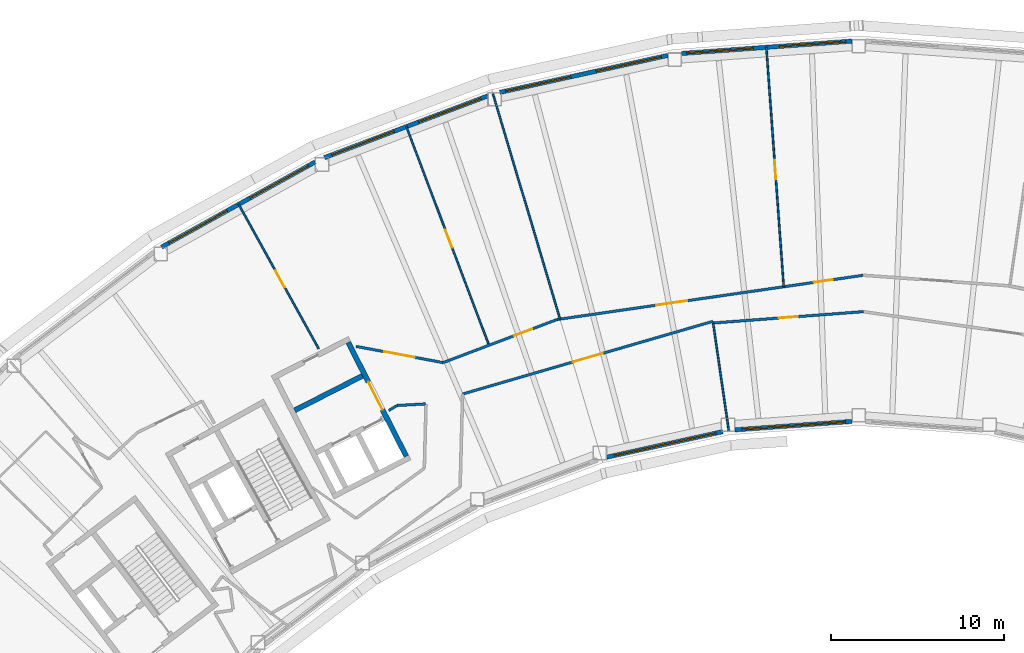
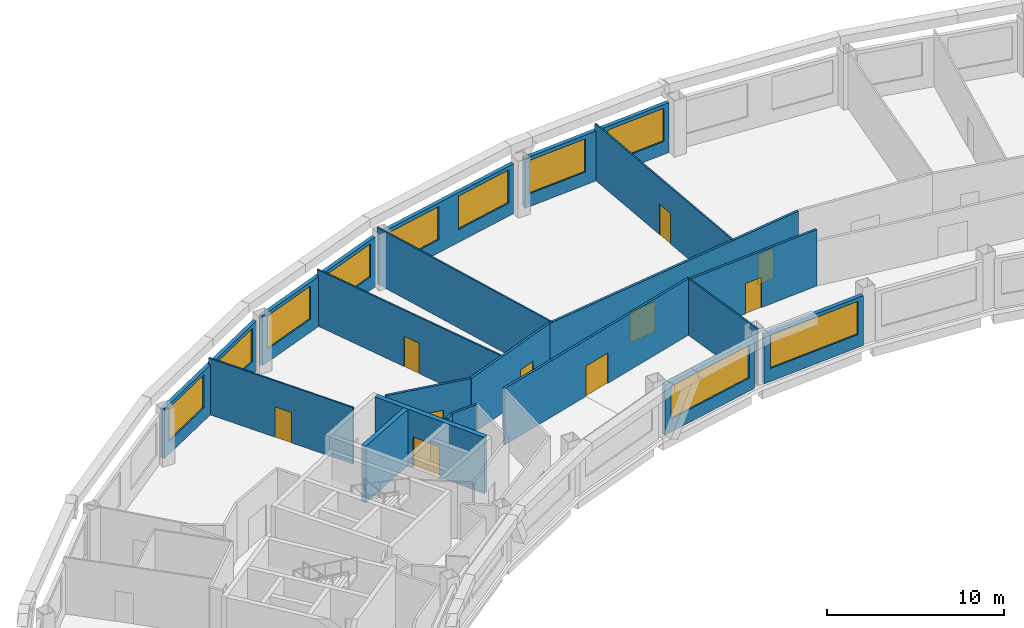
# One storey, part 7 of 13: 20 walls, 10 doors, 10 windows, 20 openings.
"""IFC4 building model written with IfcOpenShell, lengths in metres."""

from ifc_helpers import new_model, si_unit, direction, frame, frame_2d, origin, place, context, subcontext, project, spatial, rectangle, extrude, material, layer, layer_set, type_object, element, fill, save


model = new_model("IFC4")

# Units and contexts
model_context = context("Model", 3, precision=1e-05, world=origin(), true_north=direction((0.0, 1.0)))
body_context = subcontext(model_context, "Body", "Model", "MODEL_VIEW")
ifc_project = project(units=[si_unit("LENGTHUNIT", "METRE"), si_unit("AREAUNIT", "SQUARE_METRE"), si_unit("VOLUMEUNIT", "CUBIC_METRE"), si_unit("PLANEANGLEUNIT", "RADIAN"), si_unit("MASSUNIT", "GRAM", prefix="KILO")], contexts=[model_context])

# Site, building, storey
site_placement = place(None, origin())
site = spatial("IfcSite", under=ifc_project, at=site_placement, CompositionType="ELEMENT")
building_placement = place(site_placement, origin())
building = spatial("IfcBuilding", under=site, at=building_placement, Name="Tuul Gate Civic Tower", CompositionType="ELEMENT")
storey_placement = place(building_placement, frame((0.0, 0.0, 230.5)))
storey = spatial("IfcBuildingStorey", under=building, at=storey_placement, Name="Level 52", CompositionType="ELEMENT", Elevation=230.5)

# Wall, openings, doors
ifc_material_1 = material(Name="Gypsum board partition")
ifc_layer_1 = layer(ifc_material_1, 0.14990234375)
ifc_layer_set_1 = layer_set([ifc_layer_1], Name="Gypsum board partition")
wall_type_1 = type_object("IfcWallType", Name="Corridor wall P150", PredefinedType="PARTITIONING", material=ifc_layer_set_1)
wall_1_placement = place(storey_placement, frame((-11.525390625, 2.749267578125, 0.0), z_axis=(0.0, 0.0, 1.0), x_axis=(0.989706740421, 0.143110334934, 0.0)))
wall_1 = element("IfcWall", 1, at=wall_1_placement, inside=storey, type_object=wall_type_1, Name="p029", PredefinedType="PARTITIONING", context=body_context, shape_type="SweptSolid", body=[
    extrude(rectangle(XDim=17.907470703125, YDim=0.14990234375, at=frame_2d((8.95361328125, 0.0))), origin(), (0.0, 0.0, 1.0), 3.89990234375),
])
opening_1_placement = place(wall_1_placement, frame((5.81640625, 0.0, 0.0)))
opening_1 = element("IfcOpeningElement", 2, at=opening_1_placement, cuts=wall_1, Name="Opening S-D08", PredefinedType="OPENING", context=body_context, shape_type="SweptSolid", body=[
    extrude(rectangle(XDim=1.800048828125, YDim=2.10009765625, at=frame_2d((0.89990234375, 1.050048828125))), frame((0.0, 0.0849609375, 0.0), z_axis=(0.0, -1.0, 0.0), x_axis=(1.0, 0.0, 0.0)), (0.0, 0.0, 1.0), 0.169921875),
])
opening_2_placement = place(wall_1_placement, frame((15.0322265625, 0.0, 0.0)))
opening_2 = element("IfcOpeningElement", 3, at=opening_2_placement, cuts=wall_1, Name="Opening S-D24", PredefinedType="OPENING", context=body_context, shape_type="SweptSolid", body=[
    extrude(rectangle(XDim=1.10009765625, YDim=2.10009765625, at=frame_2d((0.550048828125, 1.050048828125))), frame((0.0, 0.0849609375, 0.0), z_axis=(0.0, -1.0, 0.0), x_axis=(1.0, 0.0, 0.0)), (0.0, 0.0, 1.0), 0.169921875),
])
ifc_material_2 = material(Name="Timber door leaf", Category="wood")
door_type_1 = type_object("IfcDoorType", Name="Door D11", OperationType="NOTDEFINED", PredefinedType="DOOR", material=ifc_material_2)
door_1_placement = place(opening_2_placement, origin())
door_1 = element("IfcDoor", 4, at=door_1_placement, inside=storey, type_object=door_type_1, Name="Door S-D24", OperationType="SINGLE_SWING_RIGHT", OverallHeight=2.10009765625, OverallWidth=1.10009765625, PredefinedType="DOOR", context=body_context, shape_type="SweptSolid", body=[
    extrude(rectangle(XDim=1.10009765625, YDim=2.10009765625, at=frame_2d((0.550048828125, 1.050048828125))), frame((0.0, 0.02490234375, 0.0), z_axis=(0.0, -1.0, 0.0), x_axis=(1.0, 0.0, 0.0)), (0.0, 0.0, 1.0), 0.050048828125),
])
fill(opening_2, door_1)
ifc_material_3 = material(Name="Timber door leaf, double", Category="wood")
door_type_2 = type_object("IfcDoorType", Name="Door D18", OperationType="DOUBLE_DOOR_SINGLE_SWING", PredefinedType="DOOR", material=ifc_material_3)
door_2_placement = place(opening_1_placement, origin())
door_2 = element("IfcDoor", 5, at=door_2_placement, inside=storey, type_object=door_type_2, Name="Door S-D08", OperationType="DOUBLE_DOOR_SINGLE_SWING", OverallHeight=2.10009765625, OverallWidth=1.800048828125, PredefinedType="DOOR", context=body_context, shape_type="SweptSolid", body=[
    extrude(rectangle(XDim=1.800048828125, YDim=2.10009765625, at=frame_2d((0.89990234375, 1.050048828125))), frame((0.0, 0.02490234375, 0.0), z_axis=(0.0, -1.0, 0.0), x_axis=(1.0, 0.0, 0.0)), (0.0, 0.0, 1.0), 0.050048828125),
])
fill(opening_1, door_2)

# Wall, opening, door
wall_2_placement = place(storey_placement, frame((-18.113525390625, 0.258056640625, 0.0), z_axis=(0.0, 0.0, 1.0), x_axis=(0.935353854347, 0.353713396918, 0.0)))
wall_2 = element("IfcWall", 6, at=wall_2_placement, inside=storey, type_object=wall_type_1, Name="p032", PredefinedType="PARTITIONING", context=body_context, shape_type="SweptSolid", body=[
    extrude(rectangle(XDim=7.041748046875, YDim=0.14990234375, at=frame_2d((3.52099609375, 0.0))), origin(), (0.0, 0.0, 1.0), 3.89990234375),
])
opening_3_placement = place(wall_2_placement, frame((4.388671875, 0.0, 0.0)))
opening_3 = element("IfcOpeningElement", 7, at=opening_3_placement, cuts=wall_2, Name="Opening S-D09", PredefinedType="OPENING", context=body_context, shape_type="SweptSolid", body=[
    extrude(rectangle(XDim=1.10009765625, YDim=2.10009765625, at=frame_2d((0.550048828125, 1.050048828125))), frame((0.0, 0.0849609375, 0.0), z_axis=(0.0, -1.0, 0.0), x_axis=(1.0, 0.0, 0.0)), (0.0, 0.0, 1.0), 0.169921875),
])
door_3_placement = place(opening_3_placement, origin())
door_3 = element("IfcDoor", 8, at=door_3_placement, inside=storey, type_object=door_type_1, Name="Door S-D09", OperationType="SINGLE_SWING_RIGHT", OverallHeight=2.10009765625, OverallWidth=1.10009765625, PredefinedType="DOOR", context=body_context, shape_type="SweptSolid", body=[
    extrude(rectangle(XDim=1.10009765625, YDim=2.10009765625, at=frame_2d((0.550048828125, 1.050048828125))), frame((0.0, 0.02490234375, 0.0), z_axis=(0.0, -1.0, 0.0), x_axis=(1.0, 0.0, 0.0)), (0.0, 0.0, 1.0), 0.050048828125),
])
fill(opening_3, door_3)

wall_3_placement = place(storey_placement, frame((-23.1552734375, 1.194091796875, 0.0), z_axis=(0.0, 0.0, 1.0), x_axis=(0.983102926713, -0.183053641011, 0.0)))
wall_3 = element("IfcWall", 9, at=wall_3_placement, inside=storey, type_object=wall_type_1, Name="p034", PredefinedType="PARTITIONING", context=body_context, shape_type="SweptSolid", body=[
    extrude(rectangle(XDim=5.121337890625, YDim=0.14990234375, at=frame_2d((2.560546875, 0.0))), origin(), (0.0, 0.0, 1.0), 3.89990234375),
])
opening_4_placement = place(wall_3_placement, frame((1.66064453125, 0.0, 0.0)))
opening_4 = element("IfcOpeningElement", 10, at=opening_4_placement, cuts=wall_3, Name="Opening S-D10", PredefinedType="OPENING", context=body_context, shape_type="SweptSolid", body=[
    extrude(rectangle(XDim=1.800048828125, YDim=2.10009765625, at=frame_2d((0.89990234375, 1.050048828125))), frame((0.0, 0.0849609375, 0.0), z_axis=(0.0, -1.0, 0.0), x_axis=(1.0, 0.0, 0.0)), (0.0, 0.0, 1.0), 0.169921875),
])
door_4_placement = place(opening_4_placement, origin())
door_4 = element("IfcDoor", 11, at=door_4_placement, inside=storey, type_object=door_type_2, Name="Door S-D10", OperationType="DOUBLE_DOOR_SINGLE_SWING", OverallHeight=2.10009765625, OverallWidth=1.800048828125, PredefinedType="DOOR", context=body_context, shape_type="SweptSolid", body=[
    extrude(rectangle(XDim=1.800048828125, YDim=2.10009765625, at=frame_2d((0.89990234375, 1.050048828125))), frame((0.0, 0.02490234375, 0.0), z_axis=(0.0, -1.0, 0.0), x_axis=(1.0, 0.0, 0.0)), (0.0, 0.0, 1.0), 0.050048828125),
])
fill(opening_4, door_4)

wall_4_placement = place(storey_placement, frame((-2.489501953125, 2.547607421875, 0.0), z_axis=(0.0, 0.0, 1.0), x_axis=(0.99714617052, 0.075495129763, 0.0)))
wall_4 = element("IfcWall", 12, at=wall_4_placement, inside=storey, type_object=wall_type_1, Name="p052", PredefinedType="PARTITIONING", context=body_context, shape_type="SweptSolid", body=[
    extrude(rectangle(XDim=8.718505859375, YDim=0.14990234375, at=frame_2d((4.359375, 0.0))), origin(), (0.0, 0.0, 1.0), 3.89990234375),
])
opening_5_placement = place(wall_4_placement, frame((3.80908203125, 0.0, 0.0)))
opening_5 = element("IfcOpeningElement", 13, at=opening_5_placement, cuts=wall_4, Name="Opening S-D29", PredefinedType="OPENING", context=body_context, shape_type="SweptSolid", body=[
    extrude(rectangle(XDim=1.10009765625, YDim=2.10009765625, at=frame_2d((0.550048828125, 1.050048828125))), frame((0.0, 0.0849609375, 0.0), z_axis=(0.0, -1.0, 0.0), x_axis=(1.0, 0.0, 0.0)), (0.0, 0.0, 1.0), 0.169921875),
])
door_5_placement = place(opening_5_placement, frame((1.10009765625, 0.0, 0.0), z_axis=(0.0, 0.0, 1.0), x_axis=(-1.0, 0.0, 0.0)))
door_5 = element("IfcDoor", 14, at=door_5_placement, inside=storey, type_object=door_type_1, Name="Door S-D29", OperationType="SINGLE_SWING_LEFT", OverallHeight=2.10009765625, OverallWidth=1.10009765625, PredefinedType="DOOR", context=body_context, shape_type="SweptSolid", body=[
    extrude(rectangle(XDim=1.10009765625, YDim=2.10009765625, at=frame_2d((0.550048828125, 1.050048828125))), frame((0.0, 0.02490234375, 0.0), z_axis=(0.0, -1.0, 0.0), x_axis=(1.0, 0.0, 0.0)), (0.0, 0.0, 1.0), 0.050048828125),
])
fill(opening_5, door_5)

wall_5_placement = place(storey_placement, frame((-16.99169921875, -1.56298828125, 0.0), z_axis=(0.0, 0.0, 1.0), x_axis=(0.96031421275, 0.278920441686, 0.0)))
wall_5 = element("IfcWall", 15, at=wall_5_placement, inside=storey, type_object=wall_type_1, Name="p059", PredefinedType="PARTITIONING", context=body_context, shape_type="SweptSolid", body=[
    extrude(rectangle(XDim=15.086669921875, YDim=0.14990234375, at=frame_2d((7.54345703125, 0.0))), origin(), (0.0, 0.0, 1.0), 3.89990234375),
])
opening_6_placement = place(wall_5_placement, frame((6.643310546875, 0.0, 0.0)))
opening_6 = element("IfcOpeningElement", 16, at=opening_6_placement, cuts=wall_5, Name="Opening S-D15", PredefinedType="OPENING", context=body_context, shape_type="SweptSolid", body=[
    extrude(rectangle(XDim=1.800048828125, YDim=2.10009765625, at=frame_2d((0.89990234375, 1.050048828125))), frame((0.0, 0.0849609375, 0.0), z_axis=(0.0, -1.0, 0.0), x_axis=(1.0, 0.0, 0.0)), (0.0, 0.0, 1.0), 0.169921875),
])
door_6_placement = place(opening_6_placement, frame((1.800048828125, 0.0, 0.0), z_axis=(0.0, 0.0, 1.0), x_axis=(-1.0, 0.0, 0.0)))
door_6 = element("IfcDoor", 17, at=door_6_placement, inside=storey, type_object=door_type_2, Name="Door S-D15", OperationType="DOUBLE_DOOR_SINGLE_SWING", OverallHeight=2.10009765625, OverallWidth=1.800048828125, PredefinedType="DOOR", context=body_context, shape_type="SweptSolid", body=[
    extrude(rectangle(XDim=1.800048828125, YDim=2.10009765625, at=frame_2d((0.900146484375, 1.050048828125))), frame((0.0, 0.02490234375, 0.0), z_axis=(0.0, -1.0, 0.0), x_axis=(1.0, 0.0, 0.0)), (0.0, 0.0, 1.0), 0.050048828125),
])
fill(opening_6, door_6)

# Walls
wall_6_placement = place(storey_placement, frame((-21.264404296875, -2.514892578125, 0.0), z_axis=(0.0, 0.0, 1.0), x_axis=(0.859072869084, 0.51185330477, 0.0)))
element("IfcWall", 18, at=wall_6_placement, inside=storey, type_object=wall_type_1, Name="p064", PredefinedType="PARTITIONING", context=body_context, shape_type="SweptSolid", body=[
    extrude(rectangle(XDim=0.5576171875, YDim=0.14990234375, at=frame_2d((0.27880859375, 0.0))), origin(), (0.0, 0.0, 1.0), 3.89990234375),
])
wall_7_placement = place(storey_placement, frame((-20.775390625, -2.2265625, 0.0), z_axis=(0.0, 0.0, 1.0), x_axis=(0.998406572492, 0.056429743973, 0.0)))
element("IfcWall", 19, at=wall_7_placement, inside=storey, type_object=wall_type_1, Name="p065", PredefinedType="PARTITIONING", context=body_context, shape_type="SweptSolid", body=[
    extrude(rectangle(XDim=1.6484375, YDim=0.14990234375, at=frame_2d((0.82421875, 0.0))), origin(), (0.0, 0.0, 1.0), 3.89990234375),
])

# Wall, openings, windows
ifc_material_4 = material(Name="Precast concrete C40/50", Category="concrete")
ifc_layer_2 = layer(ifc_material_4, 0.25)
ifc_layer_set_2 = layer_set([ifc_layer_2], Name="Precast concrete C40/50")
wall_type_2 = type_object("IfcWallType", Name="External wall", PredefinedType="STANDARD", material=ifc_layer_set_2)
wall_8_placement = place(storey_placement, frame((5.5400390625, 18.862548828125, 0.0), z_axis=(0.0, 0.0, 1.0), x_axis=(-0.997382341931, -0.072308118528, 0.0)))
wall_8 = element("IfcWall", 20, at=wall_8_placement, inside=storey, type_object=wall_type_2, Name="External wall", PredefinedType="STANDARD", context=body_context, shape_type="SweptSolid", body=[
    extrude(rectangle(XDim=9.8759765625, YDim=0.25, at=frame_2d((4.93798828125, 0.0))), origin(), (0.0, 0.0, 1.0), 3.449951171875),
])
opening_7_placement = place(wall_8_placement, frame((0.3505859375, 0.0, 0.89990234375)))
opening_7 = element("IfcOpeningElement", 21, at=opening_7_placement, cuts=wall_8, Name="Opening W22", PredefinedType="OPENING", context=body_context, shape_type="SweptSolid", body=[
    extrude(rectangle(XDim=3.85009765625, YDim=2.300048828125, at=frame_2d((1.925048828125, 1.14990234375))), frame((0.0, 0.135009765625, 0.0), z_axis=(0.0, -1.0, 0.0), x_axis=(1.0, 0.0, 0.0)), (0.0, 0.0, 1.0), 0.27001953125),
])
opening_8_placement = place(wall_8_placement, frame((5.72216796875, 0.0, 0.89990234375)))
opening_8 = element("IfcOpeningElement", 22, at=opening_8_placement, cuts=wall_8, Name="Opening W22", PredefinedType="OPENING", context=body_context, shape_type="SweptSolid", body=[
    extrude(rectangle(XDim=3.85009765625, YDim=2.300048828125, at=frame_2d((1.925048828125, 1.14990234375))), frame((0.0, 0.135009765625, 0.0), z_axis=(0.0, -1.0, 0.0), x_axis=(1.0, 0.0, 0.0)), (0.0, 0.0, 1.0), 0.27001953125),
])
ifc_material_5 = material(Name="Glass", Category="glass")
window_type_1 = type_object("IfcWindowType", Name="Window W22 3850 x 2300", PartitioningType="SINGLE_PANEL", PredefinedType="WINDOW", material=ifc_material_5)
window_1_placement = place(opening_7_placement, origin())
window_1 = element("IfcWindow", 23, at=window_1_placement, inside=storey, type_object=window_type_1, Name="Window", OverallHeight=2.300048828125, OverallWidth=3.85009765625, PartitioningType="SINGLE_PANEL", PredefinedType="WINDOW", context=body_context, shape_type="SweptSolid", body=[
    extrude(rectangle(XDim=3.85009765625, YDim=2.300048828125, at=frame_2d((1.925048828125, 1.14990234375))), frame((0.0, 0.030029296875, 0.0), z_axis=(0.0, -1.0, 0.0), x_axis=(1.0, 0.0, 0.0)), (0.0, 0.0, 1.0), 0.06005859375),
])
fill(opening_7, window_1)
window_2_placement = place(opening_8_placement, origin())
window_2 = element("IfcWindow", 24, at=window_2_placement, inside=storey, type_object=window_type_1, Name="Window", OverallHeight=2.300048828125, OverallWidth=3.85009765625, PartitioningType="SINGLE_PANEL", PredefinedType="WINDOW", context=body_context, shape_type="SweptSolid", body=[
    extrude(rectangle(XDim=3.85009765625, YDim=2.300048828125, at=frame_2d((1.925048828125, 1.14990234375))), frame((0.0, 0.030029296875, 0.0), z_axis=(0.0, -1.0, 0.0), x_axis=(1.0, 0.0, 0.0)), (0.0, 0.0, 1.0), 0.06005859375),
])
fill(opening_8, window_2)

wall_9_placement = place(storey_placement, frame((-5.110107421875, 18.0380859375, 0.0), z_axis=(0.0, 0.0, 1.0), x_axis=(-0.976567609669, -0.215210835566, 0.0)))
wall_9 = element("IfcWall", 25, at=wall_9_placement, inside=storey, type_object=wall_type_2, Name="External wall", PredefinedType="STANDARD", context=body_context, shape_type="SweptSolid", body=[
    extrude(rectangle(XDim=9.953369140625, YDim=0.25, at=frame_2d((4.9765625, 0.0))), origin(), (0.0, 0.0, 1.0), 3.449951171875),
])
opening_9_placement = place(wall_9_placement, frame((0.39013671875, 0.0, 0.89990234375)))
opening_9 = element("IfcOpeningElement", 26, at=opening_9_placement, cuts=wall_9, Name="Opening W22", PredefinedType="OPENING", context=body_context, shape_type="SweptSolid", body=[
    extrude(rectangle(XDim=3.85009765625, YDim=2.300048828125, at=frame_2d((1.925048828125, 1.14990234375))), frame((0.0, 0.135009765625, 0.0), z_axis=(0.0, -1.0, 0.0), x_axis=(1.0, 0.0, 0.0)), (0.0, 0.0, 1.0), 0.27001953125),
])
opening_10_placement = place(wall_9_placement, frame((5.761474609375, 0.0, 0.89990234375)))
opening_10 = element("IfcOpeningElement", 27, at=opening_10_placement, cuts=wall_9, Name="Opening W22", PredefinedType="OPENING", context=body_context, shape_type="SweptSolid", body=[
    extrude(rectangle(XDim=3.85009765625, YDim=2.300048828125, at=frame_2d((1.925048828125, 1.14990234375))), frame((0.0, 0.135009765625, 0.0), z_axis=(0.0, -1.0, 0.0), x_axis=(1.0, 0.0, 0.0)), (0.0, 0.0, 1.0), 0.27001953125),
])
window_3_placement = place(opening_9_placement, origin())
window_3 = element("IfcWindow", 28, at=window_3_placement, inside=storey, type_object=window_type_1, Name="Window", OverallHeight=2.300048828125, OverallWidth=3.85009765625, PartitioningType="SINGLE_PANEL", PredefinedType="WINDOW", context=body_context, shape_type="SweptSolid", body=[
    extrude(rectangle(XDim=3.85009765625, YDim=2.300048828125, at=frame_2d((1.925048828125, 1.14990234375))), frame((0.0, 0.030029296875, 0.0), z_axis=(0.0, -1.0, 0.0), x_axis=(1.0, 0.0, 0.0)), (0.0, 0.0, 1.0), 0.06005859375),
])
fill(opening_9, window_3)
window_4_placement = place(opening_10_placement, origin())
window_4 = element("IfcWindow", 29, at=window_4_placement, inside=storey, type_object=window_type_1, Name="Window", OverallHeight=2.300048828125, OverallWidth=3.85009765625, PartitioningType="SINGLE_PANEL", PredefinedType="WINDOW", context=body_context, shape_type="SweptSolid", body=[
    extrude(rectangle(XDim=3.85009765625, YDim=2.300048828125, at=frame_2d((1.925048828125, 1.14990234375))), frame((0.0, 0.030029296875, 0.0), z_axis=(0.0, -1.0, 0.0), x_axis=(1.0, 0.0, 0.0)), (0.0, 0.0, 1.0), 0.06005859375),
])
fill(opening_10, window_4)

wall_10_placement = place(storey_placement, frame((-15.537109375, 15.69189453125, 0.0), z_axis=(0.0, 0.0, 1.0), x_axis=(-0.935373348384, -0.353661842912, 0.0)))
wall_10 = element("IfcWall", 30, at=wall_10_placement, inside=storey, type_object=wall_type_2, Name="External wall", PredefinedType="STANDARD", context=body_context, shape_type="SweptSolid", body=[
    extrude(rectangle(XDim=10.102783203125, YDim=0.25, at=frame_2d((5.05126953125, 0.0))), origin(), (0.0, 0.0, 1.0), 3.449951171875),
])
opening_11_placement = place(wall_10_placement, frame((0.423583984375, 0.0, 0.89990234375)))
opening_11 = element("IfcOpeningElement", 31, at=opening_11_placement, cuts=wall_10, Name="Opening W22", PredefinedType="OPENING", context=body_context, shape_type="SweptSolid", body=[
    extrude(rectangle(XDim=3.85009765625, YDim=2.300048828125, at=frame_2d((1.925048828125, 1.14990234375))), frame((0.0, 0.135009765625, 0.0), z_axis=(0.0, -1.0, 0.0), x_axis=(1.0, 0.0, 0.0)), (0.0, 0.0, 1.0), 0.27001953125),
])
opening_12_placement = place(wall_10_placement, frame((5.794677734375, 0.0, 0.89990234375)))
opening_12 = element("IfcOpeningElement", 32, at=opening_12_placement, cuts=wall_10, Name="Opening W22", PredefinedType="OPENING", context=body_context, shape_type="SweptSolid", body=[
    extrude(rectangle(XDim=3.85009765625, YDim=2.300048828125, at=frame_2d((1.925048828125, 1.14990234375))), frame((0.0, 0.135009765625, 0.0), z_axis=(0.0, -1.0, 0.0), x_axis=(1.0, 0.0, 0.0)), (0.0, 0.0, 1.0), 0.27001953125),
])
window_5_placement = place(opening_11_placement, origin())
window_5 = element("IfcWindow", 33, at=window_5_placement, inside=storey, type_object=window_type_1, Name="Window", OverallHeight=2.300048828125, OverallWidth=3.85009765625, PartitioningType="SINGLE_PANEL", PredefinedType="WINDOW", context=body_context, shape_type="SweptSolid", body=[
    extrude(rectangle(XDim=3.85009765625, YDim=2.300048828125, at=frame_2d((1.925048828125, 1.14990234375))), frame((0.0, 0.030029296875, 0.0), z_axis=(0.0, -1.0, 0.0), x_axis=(1.0, 0.0, 0.0)), (0.0, 0.0, 1.0), 0.06005859375),
])
fill(opening_11, window_5)
window_6_placement = place(opening_12_placement, origin())
window_6 = element("IfcWindow", 34, at=window_6_placement, inside=storey, type_object=window_type_1, Name="Window", OverallHeight=2.300048828125, OverallWidth=3.85009765625, PartitioningType="SINGLE_PANEL", PredefinedType="WINDOW", context=body_context, shape_type="SweptSolid", body=[
    extrude(rectangle(XDim=3.85009765625, YDim=2.300048828125, at=frame_2d((1.925048828125, 1.14990234375))), frame((0.0, 0.030029296875, 0.0), z_axis=(0.0, -1.0, 0.0), x_axis=(1.0, 0.0, 0.0)), (0.0, 0.0, 1.0), 0.06005859375),
])
fill(opening_12, window_6)

wall_11_placement = place(storey_placement, frame((-25.52392578125, 11.86962890625, 0.0), z_axis=(0.0, 0.0, 1.0), x_axis=(-0.87461473964, -0.484818581743, 0.0)))
wall_11 = element("IfcWall", 35, at=wall_11_placement, inside=storey, type_object=wall_type_2, Name="External wall", PredefinedType="STANDARD", context=body_context, shape_type="SweptSolid", body=[
    extrude(rectangle(XDim=10.16162109375, YDim=0.25, at=frame_2d((5.080810546875, 0.0))), origin(), (0.0, 0.0, 1.0), 3.449951171875),
])
opening_13_placement = place(wall_11_placement, frame((0.451171875, 0.0, 0.89990234375)))
opening_13 = element("IfcOpeningElement", 36, at=opening_13_placement, cuts=wall_11, Name="Opening W22", PredefinedType="OPENING", context=body_context, shape_type="SweptSolid", body=[
    extrude(rectangle(XDim=3.85009765625, YDim=2.300048828125, at=frame_2d((1.925048828125, 1.14990234375))), frame((0.0, 0.135009765625, 0.0), z_axis=(0.0, -1.0, 0.0), x_axis=(1.0, 0.0, 0.0)), (0.0, 0.0, 1.0), 0.27001953125),
])
opening_14_placement = place(wall_11_placement, frame((5.822021484375, 0.0, 0.89990234375)))
opening_14 = element("IfcOpeningElement", 37, at=opening_14_placement, cuts=wall_11, Name="Opening W22", PredefinedType="OPENING", context=body_context, shape_type="SweptSolid", body=[
    extrude(rectangle(XDim=3.85009765625, YDim=2.300048828125, at=frame_2d((1.925048828125, 1.14990234375))), frame((0.0, 0.135009765625, 0.0), z_axis=(0.0, -1.0, 0.0), x_axis=(1.0, 0.0, 0.0)), (0.0, 0.0, 1.0), 0.27001953125),
])
window_7_placement = place(opening_13_placement, origin())
window_7 = element("IfcWindow", 38, at=window_7_placement, inside=storey, type_object=window_type_1, Name="Window", OverallHeight=2.300048828125, OverallWidth=3.85009765625, PartitioningType="SINGLE_PANEL", PredefinedType="WINDOW", context=body_context, shape_type="SweptSolid", body=[
    extrude(rectangle(XDim=3.85009765625, YDim=2.300048828125, at=frame_2d((1.925048828125, 1.14990234375))), frame((0.0, 0.030029296875, 0.0), z_axis=(0.0, -1.0, 0.0), x_axis=(1.0, 0.0, 0.0)), (0.0, 0.0, 1.0), 0.06005859375),
])
fill(opening_13, window_7)
window_8_placement = place(opening_14_placement, origin())
window_8 = element("IfcWindow", 39, at=window_8_placement, inside=storey, type_object=window_type_1, Name="Window", OverallHeight=2.300048828125, OverallWidth=3.85009765625, PartitioningType="SINGLE_PANEL", PredefinedType="WINDOW", context=body_context, shape_type="SweptSolid", body=[
    extrude(rectangle(XDim=3.85009765625, YDim=2.300048828125, at=frame_2d((1.925048828125, 1.14990234375))), frame((0.0, 0.030029296875, 0.0), z_axis=(0.0, -1.0, 0.0), x_axis=(1.0, 0.0, 0.0)), (0.0, 0.0, 1.0), 0.06005859375),
])
fill(opening_14, window_8)

# Wall, opening, window
wall_12_placement = place(storey_placement, frame((-8.64599609375, -5.21728515625, 0.0), z_axis=(0.0, 0.0, 1.0), x_axis=(0.976561146318, 0.215240162382, 0.0)))
wall_12 = element("IfcWall", 40, at=wall_12_placement, inside=storey, type_object=wall_type_2, Name="External wall", PredefinedType="STANDARD", context=body_context, shape_type="SweptSolid", body=[
    extrude(rectangle(XDim=6.867919921875, YDim=0.25, at=frame_2d((3.43408203125, 0.0))), origin(), (0.0, 0.0, 1.0), 3.449951171875),
])
opening_15_placement = place(wall_12_placement, frame((0.458251953125, 0.0, 0.89990234375)))
opening_15 = element("IfcOpeningElement", 41, at=opening_15_placement, cuts=wall_12, Name="Opening W26", PredefinedType="OPENING", context=body_context, shape_type="SweptSolid", body=[
    extrude(rectangle(XDim=6.0, YDim=2.300048828125, at=frame_2d((3.0, 1.14990234375))), frame((0.0, 0.135009765625, 0.0), z_axis=(0.0, -1.0, 0.0), x_axis=(1.0, 0.0, 0.0)), (0.0, 0.0, 1.0), 0.27001953125),
])
ifc_material_6 = material(Name="Glass", Category="glass")
window_type_2 = type_object("IfcWindowType", Name="Window W26 6000 x 2300", PartitioningType="SINGLE_PANEL", PredefinedType="WINDOW", material=ifc_material_6)
window_9_placement = place(opening_15_placement, origin())
window_9 = element("IfcWindow", 42, at=window_9_placement, inside=storey, type_object=window_type_2, Name="Window", OverallHeight=2.300048828125, OverallWidth=6.0, PartitioningType="SINGLE_PANEL", PredefinedType="WINDOW", context=body_context, shape_type="SweptSolid", body=[
    extrude(rectangle(XDim=6.0, YDim=2.300048828125, at=frame_2d((3.0, 1.14990234375))), frame((0.0, 0.030029296875, 0.0), z_axis=(0.0, -1.0, 0.0), x_axis=(1.0, 0.0, 0.0)), (0.0, 0.0, 1.0), 0.06005859375),
])
fill(opening_15, window_9)

wall_13_placement = place(storey_placement, frame((-1.23193359375, -3.635498046875, 0.0), z_axis=(0.0, 0.0, 1.0), x_axis=(0.997392566253, 0.07216695077, 0.0)))
wall_13 = element("IfcWall", 43, at=wall_13_placement, inside=storey, type_object=wall_type_2, Name="External wall", PredefinedType="STANDARD", context=body_context, shape_type="SweptSolid", body=[
    extrude(rectangle(XDim=6.789794921875, YDim=0.25, at=frame_2d((3.39501953125, 0.0))), origin(), (0.0, 0.0, 1.0), 3.449951171875),
])
opening_16_placement = place(wall_13_placement, frame((0.41845703125, 0.0, 0.89990234375)))
opening_16 = element("IfcOpeningElement", 44, at=opening_16_placement, cuts=wall_13, Name="Opening W26", PredefinedType="OPENING", context=body_context, shape_type="SweptSolid", body=[
    extrude(rectangle(XDim=6.0, YDim=2.300048828125, at=frame_2d((3.0, 1.14990234375))), frame((0.0, 0.135009765625, 0.0), z_axis=(0.0, -1.0, 0.0), x_axis=(1.0, 0.0, 0.0)), (0.0, 0.0, 1.0), 0.27001953125),
])
window_10_placement = place(opening_16_placement, origin())
window_10 = element("IfcWindow", 45, at=window_10_placement, inside=storey, type_object=window_type_2, Name="Window", OverallHeight=2.300048828125, OverallWidth=6.0, PartitioningType="SINGLE_PANEL", PredefinedType="WINDOW", context=body_context, shape_type="SweptSolid", body=[
    extrude(rectangle(XDim=6.0, YDim=2.300048828125, at=frame_2d((3.0, 1.14990234375))), frame((0.0, 0.030029296875, 0.0), z_axis=(0.0, -1.0, 0.0), x_axis=(1.0, 0.0, 0.0)), (0.0, 0.0, 1.0), 0.06005859375),
])
fill(opening_16, window_10)

# Wall
ifc_material_7 = material(Name="Concrete C40/50", Category="concrete")
ifc_layer_3 = layer(ifc_material_7, 0.300048828125)
ifc_layer_set_3 = layer_set([ifc_layer_3], Name="Concrete C40/50")
wall_type_3 = type_object("IfcWallType", Name="Lift shaft wall C40/50", PredefinedType="STANDARD", material=ifc_layer_set_3)
wall_14_placement = place(storey_placement, frame((-22.790771484375, -0.5126953125, 0.0), z_axis=(0.0, 0.0, 1.0), x_axis=(-0.891005618941, -0.453992276384, 0.0)))
element("IfcWall", 46, at=wall_14_placement, inside=storey, type_object=wall_type_3, Name="Shaft wall", PredefinedType="STANDARD", context=body_context, shape_type="SweptSolid", body=[
    extrude(rectangle(XDim=4.39990234375, YDim=0.300048828125, at=frame_2d((2.199951171875, 0.0))), origin(), (0.0, 0.0, 1.0), 3.89990234375),
])

# Wall, opening, door
wall_15_placement = place(storey_placement, frame((-20.2509765625, -5.166748046875, 0.0), z_axis=(0.0, 0.0, 1.0), x_axis=(-0.45401029361, 0.89099643843, 0.0)))
wall_15 = element("IfcWall", 47, at=wall_15_placement, inside=storey, type_object=wall_type_3, Name="Shaft wall", PredefinedType="STANDARD", context=body_context, shape_type="SweptSolid", body=[
    extrude(rectangle(XDim=7.39990234375, YDim=0.300048828125, at=frame_2d((3.699951171875, 0.0))), origin(), (0.0, 0.0, 1.0), 3.89990234375),
])
opening_17_placement = place(wall_15_placement, frame((3.02490234375, 0.0, 0.0)))
opening_17 = element("IfcOpeningElement", 48, at=opening_17_placement, cuts=wall_15, Name="Opening LB-W3-LOBBY-1", PredefinedType="OPENING", context=body_context, shape_type="SweptSolid", body=[
    extrude(rectangle(XDim=1.800048828125, YDim=2.10009765625, at=frame_2d((0.89990234375, 1.050048828125))), frame((0.0, 0.16015625, 0.0), z_axis=(0.0, -1.0, 0.0), x_axis=(1.0, 0.0, 0.0)), (0.0, 0.0, 1.0), 0.320068359375),
])
ifc_material_8 = material(Name="Steel", Category="steel")
door_type_3 = type_object("IfcDoorType", Name="Lobby door", OperationType="DOUBLE_DOOR_SINGLE_SWING", PredefinedType="DOOR", material=ifc_material_8)
door_7_placement = place(opening_17_placement, origin())
door_7 = element("IfcDoor", 49, at=door_7_placement, inside=storey, type_object=door_type_3, Name="Lobby door W3-LOBBY", OperationType="DOUBLE_DOOR_SINGLE_SWING", OverallHeight=2.10009765625, OverallWidth=1.800048828125, PredefinedType="DOOR", context=body_context, shape_type="SweptSolid", body=[
    extrude(rectangle(XDim=1.800048828125, YDim=2.10009765625, at=frame_2d((0.89990234375, 1.050048828125))), frame((0.0, 0.02490234375, 0.0), z_axis=(0.0, -1.0, 0.0), x_axis=(1.0, 0.0, 0.0)), (0.0, 0.0, 1.0), 0.050048828125),
])
fill(opening_17, door_7)

ifc_material_9 = material(Name="Gypsum board partition")
ifc_layer_4 = layer(ifc_material_9, 0.10009765625)
ifc_layer_set_4 = layer_set([ifc_layer_4], Name="Gypsum board partition")
wall_type_4 = type_object("IfcWallType", Name="Partition P100", PredefinedType="PARTITIONING", material=ifc_layer_set_4)
wall_16_placement = place(storey_placement, frame((0.591064453125, 18.5087890625, 0.0), z_axis=(0.0, 0.0, 1.0), x_axis=(0.072248176097, -0.99738668582, 0.0)))
wall_16 = element("IfcWall", 50, at=wall_16_placement, inside=storey, type_object=wall_type_4, Name="p027", PredefinedType="PARTITIONING", context=body_context, shape_type="SweptSolid", body=[
    extrude(rectangle(XDim=13.898681640625, YDim=0.10009765625, at=frame_2d((6.94921875, 0.0))), origin(), (0.0, 0.0, 1.0), 3.89990234375),
])
opening_18_placement = place(wall_16_placement, frame((6.564208984375, 0.0, 0.0)))
opening_18 = element("IfcOpeningElement", 51, at=opening_18_placement, cuts=wall_16, Name="Opening S-D25", PredefinedType="OPENING", context=body_context, shape_type="SweptSolid", body=[
    extrude(rectangle(XDim=1.10009765625, YDim=2.10009765625, at=frame_2d((0.550048828125, 1.050048828125))), frame((0.0, 0.06005859375, 0.0), z_axis=(0.0, -1.0, 0.0), x_axis=(1.0, 0.0, 0.0)), (0.0, 0.0, 1.0), 0.1201171875),
])
door_8_placement = place(opening_18_placement, origin())
door_8 = element("IfcDoor", 52, at=door_8_placement, inside=storey, type_object=door_type_1, Name="Door S-D25", OperationType="SINGLE_SWING_RIGHT", OverallHeight=2.10009765625, OverallWidth=1.10009765625, PredefinedType="DOOR", context=body_context, shape_type="SweptSolid", body=[
    extrude(rectangle(XDim=1.10009765625, YDim=2.10009765625, at=frame_2d((0.550048828125, 1.050048828125))), frame((0.0, 0.02490234375, 0.0), z_axis=(0.0, -1.0, 0.0), x_axis=(1.0, 0.0, 0.0)), (0.0, 0.0, 1.0), 0.050048828125),
])
fill(opening_18, door_8)

# Wall
wall_17_placement = place(storey_placement, frame((-15.231201171875, 15.812744140625, 0.0), z_axis=(0.0, 0.0, 1.0), x_axis=(0.285214929237, -0.958463585193, 0.0)))
element("IfcWall", 53, at=wall_17_placement, inside=storey, type_object=wall_type_4, Name="p030", PredefinedType="PARTITIONING", context=body_context, shape_type="SweptSolid", body=[
    extrude(rectangle(XDim=13.603271484375, YDim=0.10009765625, at=frame_2d((6.8017578125, 0.0))), origin(), (0.0, 0.0, 1.0), 3.89990234375),
])

# Wall, opening, door
wall_18_placement = place(storey_placement, frame((-20.247314453125, 13.91650390625, 0.0), z_axis=(0.0, 0.0, 1.0), x_axis=(0.353718464429, -0.935351938001, 0.0)))
wall_18 = element("IfcWall", 54, at=wall_18_placement, inside=storey, type_object=wall_type_4, Name="p031", PredefinedType="PARTITIONING", context=body_context, shape_type="SweptSolid", body=[
    extrude(rectangle(XDim=13.5302734375, YDim=0.10009765625, at=frame_2d((6.76513671875, 0.0))), origin(), (0.0, 0.0, 1.0), 3.89990234375),
])
opening_19_placement = place(wall_18_placement, frame((6.380126953125, 0.0, 0.0)))
opening_19 = element("IfcOpeningElement", 55, at=opening_19_placement, cuts=wall_18, Name="Opening S-D26", PredefinedType="OPENING", context=body_context, shape_type="SweptSolid", body=[
    extrude(rectangle(XDim=1.10009765625, YDim=2.10009765625, at=frame_2d((0.550048828125, 1.050048828125))), frame((0.0, 0.06005859375, 0.0), z_axis=(0.0, -1.0, 0.0), x_axis=(1.0, 0.0, 0.0)), (0.0, 0.0, 1.0), 0.1201171875),
])
door_9_placement = place(opening_19_placement, origin())
door_9 = element("IfcDoor", 56, at=door_9_placement, inside=storey, type_object=door_type_1, Name="Door S-D26", OperationType="SINGLE_SWING_RIGHT", OverallHeight=2.10009765625, OverallWidth=1.10009765625, PredefinedType="DOOR", context=body_context, shape_type="SweptSolid", body=[
    extrude(rectangle(XDim=1.10009765625, YDim=2.10009765625, at=frame_2d((0.550048828125, 1.050048828125))), frame((0.0, 0.02490234375, 0.0), z_axis=(0.0, -1.0, 0.0), x_axis=(1.0, 0.0, 0.0)), (0.0, 0.0, 1.0), 0.050048828125),
])
fill(opening_19, door_9)

wall_19_placement = place(storey_placement, frame((-29.95361328125, 9.419921875, 0.0), z_axis=(0.0, 0.0, 1.0), x_axis=(0.484818571008, -0.874614745591, 0.0)))
wall_19 = element("IfcWall", 57, at=wall_19_placement, inside=storey, type_object=wall_type_4, Name="p033", PredefinedType="PARTITIONING", context=body_context, shape_type="SweptSolid", body=[
    extrude(rectangle(XDim=9.557861328125, YDim=0.10009765625, at=frame_2d((4.77880859375, 0.0))), origin(), (0.0, 0.0, 1.0), 3.89990234375),
])
opening_20_placement = place(wall_19_placement, frame((4.393798828125, 0.0, 0.0)))
opening_20 = element("IfcOpeningElement", 58, at=opening_20_placement, cuts=wall_19, Name="Opening S-D27", PredefinedType="OPENING", context=body_context, shape_type="SweptSolid", body=[
    extrude(rectangle(XDim=1.10009765625, YDim=2.10009765625, at=frame_2d((0.550048828125, 1.050048828125))), frame((0.0, 0.06005859375, 0.0), z_axis=(0.0, -1.0, 0.0), x_axis=(1.0, 0.0, 0.0)), (0.0, 0.0, 1.0), 0.1201171875),
])
door_10_placement = place(opening_20_placement, origin())
door_10 = element("IfcDoor", 59, at=door_10_placement, inside=storey, type_object=door_type_1, Name="Door S-D27", OperationType="SINGLE_SWING_RIGHT", OverallHeight=2.10009765625, OverallWidth=1.10009765625, PredefinedType="DOOR", context=body_context, shape_type="SweptSolid", body=[
    extrude(rectangle(XDim=1.10009765625, YDim=2.10009765625, at=frame_2d((0.550048828125, 1.050048828125))), frame((0.0, 0.02490234375, 0.0), z_axis=(0.0, -1.0, 0.0), x_axis=(1.0, 0.0, 0.0)), (0.0, 0.0, 1.0), 0.050048828125),
])
fill(opening_20, door_10)

# Wall
wall_20_placement = place(storey_placement, frame((-2.489501953125, 2.547607421875, 0.0), z_axis=(0.0, 0.0, 1.0), x_axis=(0.144093530869, -0.989564072894, 0.0)))
element("IfcWall", 60, at=wall_20_placement, inside=storey, type_object=wall_type_4, Name="p051", PredefinedType="PARTITIONING", context=body_context, shape_type="SweptSolid", body=[
    extrude(rectangle(XDim=6.279052734375, YDim=0.10009765625, at=frame_2d((3.1396484375, 0.0))), origin(), (0.0, 0.0, 1.0), 3.89990234375),
])

save(model, "model.ifc")
